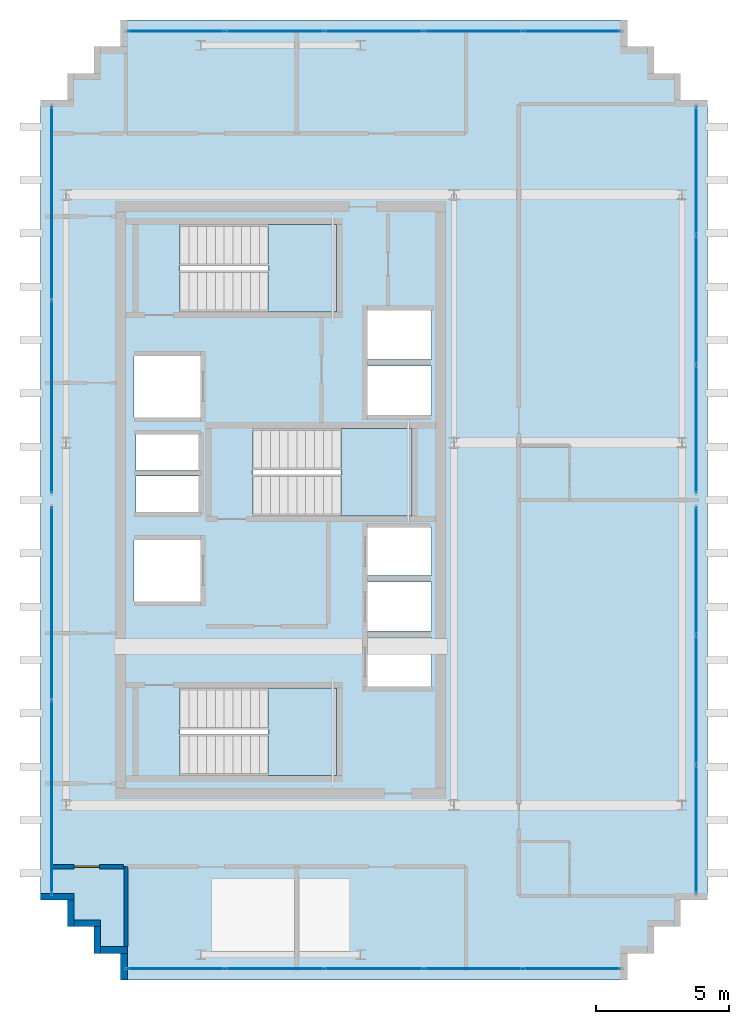
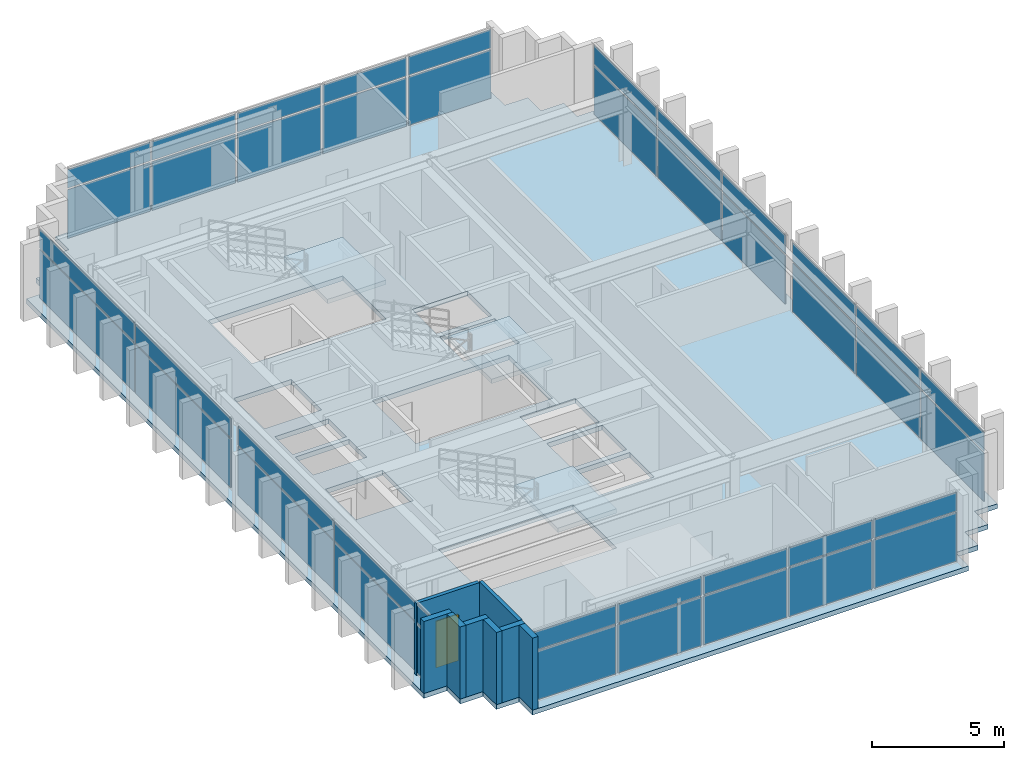
# One storey, part 11 of 15: 40 plates, 8 walls, 4 slabs, 1 door, 1 opening, 9 elements without a shape of their own.
"""IFC4 building model written with IfcOpenShell, lengths in metres."""

from ifc_helpers import new_model, si_unit, direction, frame, frame_2d, origin, origin_2d, place, context, subcontext, project, spatial, polyline, rectangle, outline, extrude, source, transform, mapped, material, layer, layer_set, type_object, element, fill, aggregate, save


model = new_model("IFC4")

# Units and contexts
model_context = context("Model", 3, precision=1e-05, world=origin(), true_north=direction((0.0, 1.0)))
body_context = subcontext(model_context, "Body", "Model", "MODEL_VIEW")
ifc_project = project(units=[si_unit("LENGTHUNIT", "METRE"), si_unit("AREAUNIT", "SQUARE_METRE"), si_unit("VOLUMEUNIT", "CUBIC_METRE"), si_unit("PLANEANGLEUNIT", "RADIAN"), si_unit("MASSUNIT", "GRAM", prefix="KILO")], contexts=[model_context])

# Site, building, storey
site_placement = place(None, origin())
site = spatial("IfcSite", under=ifc_project, at=site_placement, CompositionType="ELEMENT")
building_placement = place(site_placement, origin())
building = spatial("IfcBuilding", under=site, at=building_placement, Name="Ocotamira Hotel", CompositionType="ELEMENT")
storey_placement = place(building_placement, frame((0.0, 0.0, 297.60009765625)))
storey = spatial("IfcBuildingStorey", under=building, at=storey_placement, Name="L76", CompositionType="ELEMENT", Elevation=297.60009765625)

# Stair, slab
ifc_material_1 = material(Name="Concrete C40/50", Category="concrete")
stair_type = type_object("IfcStairType", Name="ST-CORE-1560", PredefinedType="HALF_TURN_STAIR", material=ifc_material_1)
stair_1_placement = place(storey_placement, origin())
stair_1 = element("IfcStair", 1, at=stair_1_placement, inside=storey, type_object=stair_type, Name="L76 Exit Stair ST-1", PredefinedType="HALF_TURN_STAIR")
ifc_layer_1 = layer(ifc_material_1, 0.199951171875)
ifc_layer_set_1 = layer_set([ifc_layer_1], Name="Concrete C40/50")
slab_type_1 = type_object("IfcSlabType", Name="SLB-LAND-200", PredefinedType="LANDING", material=ifc_layer_set_1)
slab_1_placement = place(storey_placement, frame((0.0, 0.0, 1.599853515625)))
slab_1 = element("IfcSlab", 2, at=slab_1_placement, type_object=slab_type_1, Name="ST-1 landing 1", PredefinedType="LANDING", context=body_context, shape_type="SweptSolid", body=[
    extrude(outline(polyline([(16.530029296875, 15.669921875), (19.090087890625, 15.669921875), (19.090087890625, 18.949951171875), (16.530029296875, 18.949951171875), (16.530029296875, 15.669921875)])), origin(), (0.0, 0.0, 1.0), 0.199951171875),
])
aggregate(stair_1, [slab_1])

stair_2_placement = place(storey_placement, origin())
stair_2 = element("IfcStair", 3, at=stair_2_placement, inside=storey, type_object=stair_type, Name="L76 Exit Stair ST-2", PredefinedType="HALF_TURN_STAIR")
slab_2_placement = place(storey_placement, frame((0.0, 0.0, 1.599853515625)))
slab_2 = element("IfcSlab", 4, at=slab_2_placement, type_object=slab_type_1, Name="ST-2 landing 1", PredefinedType="LANDING", context=body_context, shape_type="SweptSolid", body=[
    extrude(outline(polyline([(16.530029296875, 33.050048828125), (19.090087890625, 33.050048828125), (19.090087890625, 36.330078125), (16.530029296875, 36.330078125), (16.530029296875, 33.050048828125)])), origin(), (0.0, 0.0, 1.0), 0.199951171875),
])
aggregate(stair_2, [slab_2])

stair_3_placement = place(storey_placement, origin())
stair_3 = element("IfcStair", 5, at=stair_3_placement, inside=storey, type_object=stair_type, Name="L76 Exit Stair ST-3", PredefinedType="HALF_TURN_STAIR")
slab_3_placement = place(storey_placement, frame((0.0, 0.0, 1.599853515625)))
slab_3 = element("IfcSlab", 6, at=slab_3_placement, type_object=slab_type_1, Name="ST-3 landing 1", PredefinedType="LANDING", context=body_context, shape_type="SweptSolid", body=[
    extrude(outline(polyline([(19.260009765625, 25.39990234375), (21.919921875, 25.39990234375), (21.919921875, 28.679931640625), (19.260009765625, 28.679931640625), (19.260009765625, 25.39990234375)])), origin(), (0.0, 0.0, 1.0), 0.199951171875),
])
aggregate(stair_3, [slab_3])

# Slab
ifc_layer_2 = layer(ifc_material_1, 0.219970703125)
ifc_layer_set_2 = layer_set([ifc_layer_2], Name="Concrete C40/50")
slab_type_2 = type_object("IfcSlabType", Name="SLB-UPP-220", PredefinedType="FLOOR", material=ifc_layer_set_2)
slab_4_placement = place(storey_placement, frame((0.0, 0.0, -0.22021484375)))
element("IfcSlab", 7, at=slab_4_placement, inside=storey, type_object=slab_type_2, Name="L76 Structural Floor Slab", PredefinedType="FLOOR", context=body_context, shape_type="SweptSolid", body=[
    extrude(outline(polyline([(11.0, 8.0), (30.0, 8.0), (30.0, 9.0), (31.0, 9.0), (31.0, 10.0), (32.0, 10.0), (32.0, 11.0), (33.0, 11.0), (33.0, 41.0), (32.0, 41.0), (32.0, 42.0), (31.0, 42.0), (31.0, 43.0), (30.0, 43.0), (30.0, 44.0), (11.0, 44.0), (11.0, 43.0), (10.0, 43.0), (10.0, 42.0), (9.0, 42.0), (9.0, 41.0), (8.0, 41.0), (8.0, 11.0), (9.0, 11.0), (9.0, 10.0), (10.0, 10.0), (10.0, 9.0), (11.0, 9.0), (11.0, 8.0)]), holes=[polyline([(13.22998046875, 15.669921875), (19.090087890625, 15.669921875), (19.090087890625, 18.949951171875), (13.22998046875, 18.949951171875), (13.22998046875, 15.669921875)]), polyline([(13.22998046875, 33.050048828125), (19.090087890625, 33.050048828125), (19.090087890625, 36.330078125), (13.22998046875, 36.330078125), (13.22998046875, 33.050048828125)]), polyline([(15.9599609375, 25.39990234375), (21.919921875, 25.39990234375), (21.919921875, 28.679931640625), (15.9599609375, 28.679931640625), (15.9599609375, 25.39990234375)]), polyline([(20.25, 19.0), (22.659912109375, 19.0), (22.659912109375, 20.85009765625), (20.25, 20.85009765625), (20.25, 19.0)]), polyline([(20.25, 21.080078125), (22.659912109375, 21.080078125), (22.659912109375, 22.929931640625), (20.25, 22.929931640625), (20.25, 21.080078125)]), polyline([(20.25, 23.159912109375), (22.659912109375, 23.159912109375), (22.659912109375, 24.9599609375), (20.25, 24.9599609375), (20.25, 23.159912109375)]), polyline([(20.25, 29.179931640625), (22.659912109375, 29.179931640625), (22.659912109375, 31.030029296875), (20.25, 31.030029296875), (20.25, 29.179931640625)]), polyline([(20.25, 31.260009765625), (22.659912109375, 31.260009765625), (22.659912109375, 33.110107421875), (20.25, 33.110107421875), (20.25, 31.260009765625)]), polyline([(11.5, 22.199951171875), (14.0, 22.199951171875), (14.0, 24.5), (11.5, 24.5), (11.5, 22.199951171875)]), polyline([(11.5, 29.10009765625), (14.0, 29.10009765625), (14.0, 31.39990234375), (11.5, 31.39990234375), (11.5, 29.10009765625)]), polyline([(11.580078125, 25.550048828125), (13.919921875, 25.550048828125), (13.919921875, 26.89990234375), (11.580078125, 26.89990234375), (11.580078125, 25.550048828125)]), polyline([(11.580078125, 27.10009765625), (13.919921875, 27.10009765625), (13.919921875, 28.449951171875), (11.580078125, 28.449951171875), (11.580078125, 27.10009765625)])]), origin(), (0.0, 0.0, 1.0), 0.22021484375),
])

# Curtain wall, plates
ifc_material_2 = material(Name="Anodised pale-metal aluminium and solar glass", Category="aluminium")
ifc_layer_3 = layer(ifc_material_2, 0.2099609375)
ifc_layer_set_3 = layer_set([ifc_layer_3], Name="Anodised pale-metal aluminium and solar glass")
curtain_wall_type = type_object("IfcCurtainWallType", Name="CW-SYS7-PEAK", PredefinedType="NOTDEFINED", material=ifc_layer_set_3)
curtain_wall_1_placement = place(storey_placement, origin())
curtain_wall_1 = element("IfcCurtainWall", 8, at=curtain_wall_1_placement, inside=storey, type_object=curtain_wall_type, Name="L76 Curtain Wall CW-7 CW-L76-W1", PredefinedType="NOTDEFINED")
ifc_material_3 = material(Name="Double-silver low-E insulated solar glass", Category="glass")
ifc_layer_4 = layer(ifc_material_3, 0.031982421875)
ifc_layer_set_4 = layer_set([ifc_layer_4], Name="Double-silver low-E insulated solar glass")
plate_type = type_object("IfcPlateType", Name="CWP-VISION-32", PredefinedType="CURTAIN_PANEL", material=ifc_layer_set_4)
shared_shape_1 = source(origin(), body_context, "Body", "SweptSolid", [
    extrude(rectangle(XDim=7.179931640625, YDim=0.031982421875, at=origin_2d()), origin(), (0.0, 0.0, 1.0), 2.237548828125),
])
plate_1_placement = place(storey_placement, frame((8.419921875, 14.8701171875, 0.07470703125), z_axis=(0.0, 0.0, 1.0), x_axis=(0.0, 1.0, 0.0)))
plate_1 = element("IfcPlate", 9, at=plate_1_placement, type_object=plate_type, Name="CW-7 panel 1.1", PredefinedType="CURTAIN_PANEL", context=body_context, shape_type="MappedRepresentation", body=[
    mapped(shared_shape_1, transform((0.0, 0.0, 0.0), scale=1.0)),
])
plate_2_placement = place(storey_placement, frame((8.419921875, 22.1298828125, 0.07470703125), z_axis=(0.0, 0.0, 1.0), x_axis=(0.0, 1.0, 0.0)))
plate_2 = element("IfcPlate", 10, at=plate_2_placement, type_object=plate_type, Name="CW-7 panel 2.1", PredefinedType="CURTAIN_PANEL", context=body_context, shape_type="MappedRepresentation", body=[
    mapped(shared_shape_1, transform((0.0, 0.0, 0.0), scale=1.0)),
])

curtain_wall_2_placement = place(storey_placement, origin())
curtain_wall_2 = element("IfcCurtainWall", 11, at=curtain_wall_2_placement, inside=storey, type_object=curtain_wall_type, Name="L76 Curtain Wall CW-7 CW-L76-W2", PredefinedType="NOTDEFINED")
plate_3_placement = place(storey_placement, frame((8.419921875, 29.8701171875, 0.07470703125), z_axis=(0.0, 0.0, 1.0), x_axis=(0.0, 1.0, 0.0)))
plate_3 = element("IfcPlate", 12, at=plate_3_placement, type_object=plate_type, Name="CW-7 panel 1.1", PredefinedType="CURTAIN_PANEL", context=body_context, shape_type="MappedRepresentation", body=[
    mapped(shared_shape_1, transform((0.0, 0.0, 0.0), scale=1.0)),
])
plate_4_placement = place(storey_placement, frame((8.419921875, 37.1298828125, 0.07470703125), z_axis=(0.0, 0.0, 1.0), x_axis=(0.0, 1.0, 0.0)))
plate_4 = element("IfcPlate", 13, at=plate_4_placement, type_object=plate_type, Name="CW-7 panel 2.1", PredefinedType="CURTAIN_PANEL", context=body_context, shape_type="MappedRepresentation", body=[
    mapped(shared_shape_1, transform((0.0, 0.0, 0.0), scale=1.0)),
])

curtain_wall_3_placement = place(storey_placement, origin())
curtain_wall_3 = element("IfcCurtainWall", 14, at=curtain_wall_3_placement, inside=storey, type_object=curtain_wall_type, Name="L76 Curtain Wall CW-7 CW-L76-S1", PredefinedType="NOTDEFINED")
shared_shape_2 = source(origin(), body_context, "Body", "SweptSolid", [
    extrude(rectangle(XDim=3.60009765625, YDim=0.031982421875, at=origin_2d()), origin(), (0.0, 0.0, 1.0), 2.237548828125),
])
plate_5_placement = place(storey_placement, frame((13.080078125, 8.419921875, 0.07470703125), z_axis=(0.0, 0.0, 1.0), x_axis=(1.0, 0.0, 0.0)))
plate_5 = element("IfcPlate", 15, at=plate_5_placement, type_object=plate_type, Name="CW-7 panel 1.1", PredefinedType="CURTAIN_PANEL", context=body_context, shape_type="MappedRepresentation", body=[
    mapped(shared_shape_2, transform((0.0, 0.0, 0.0), scale=1.0)),
])
plate_6_placement = place(storey_placement, frame((27.919921875, 8.419921875, 0.07470703125), z_axis=(0.0, 0.0, 1.0), x_axis=(1.0, 0.0, 0.0)))
plate_6 = element("IfcPlate", 16, at=plate_6_placement, type_object=plate_type, Name="CW-7 panel 5.1", PredefinedType="CURTAIN_PANEL", context=body_context, shape_type="MappedRepresentation", body=[
    mapped(shared_shape_2, transform((0.0, 0.0, 0.0), scale=1.0)),
])

curtain_wall_4_placement = place(storey_placement, origin())
curtain_wall_4 = element("IfcCurtainWall", 17, at=curtain_wall_4_placement, inside=storey, type_object=curtain_wall_type, Name="L76 Curtain Wall CW-7 CW-L76-N", PredefinedType="NOTDEFINED")
plate_7_placement = place(storey_placement, frame((13.080078125, 43.580078125, 0.07470703125), z_axis=(0.0, 0.0, 1.0), x_axis=(1.0, 0.0, 0.0)))
plate_7 = element("IfcPlate", 18, at=plate_7_placement, type_object=plate_type, Name="CW-7 panel 1.1", PredefinedType="CURTAIN_PANEL", context=body_context, shape_type="MappedRepresentation", body=[
    mapped(shared_shape_2, transform((0.0, 0.0, 0.0), scale=1.0)),
])
plate_8_placement = place(storey_placement, frame((27.919921875, 43.580078125, 0.07470703125), z_axis=(0.0, 0.0, 1.0), x_axis=(1.0, 0.0, 0.0)))
plate_8 = element("IfcPlate", 19, at=plate_8_placement, type_object=plate_type, Name="CW-7 panel 5.1", PredefinedType="CURTAIN_PANEL", context=body_context, shape_type="MappedRepresentation", body=[
    mapped(shared_shape_2, transform((0.0, 0.0, 0.0), scale=1.0)),
])

# Plate
shared_shape_3 = source(origin(), body_context, "Body", "SweptSolid", [
    extrude(rectangle(XDim=3.639892578125, YDim=0.031982421875, at=origin_2d()), origin(), (0.0, 0.0, 1.0), 2.237548828125),
])
plate_9_placement = place(storey_placement, frame((16.780029296875, 8.419921875, 0.07470703125), z_axis=(0.0, 0.0, 1.0), x_axis=(1.0, 0.0, 0.0)))
plate_9 = element("IfcPlate", 20, at=plate_9_placement, type_object=plate_type, Name="CW-7 panel 2.1", PredefinedType="CURTAIN_PANEL", context=body_context, shape_type="MappedRepresentation", body=[
    mapped(shared_shape_3, transform((0.0, 0.0, 0.0), scale=1.0)),
])

plate_10_placement = place(storey_placement, frame((20.5, 8.419921875, 0.07470703125), z_axis=(0.0, 0.0, 1.0), x_axis=(1.0, 0.0, 0.0)))
plate_10 = element("IfcPlate", 21, at=plate_10_placement, type_object=plate_type, Name="CW-7 panel 3.1", PredefinedType="CURTAIN_PANEL", context=body_context, shape_type="MappedRepresentation", body=[
    mapped(shared_shape_3, transform((0.0, 0.0, 0.0), scale=1.0)),
])

plate_11_placement = place(storey_placement, frame((24.219970703125, 8.419921875, 0.07470703125), z_axis=(0.0, 0.0, 1.0), x_axis=(1.0, 0.0, 0.0)))
plate_11 = element("IfcPlate", 22, at=plate_11_placement, type_object=plate_type, Name="CW-7 panel 4.1", PredefinedType="CURTAIN_PANEL", context=body_context, shape_type="MappedRepresentation", body=[
    mapped(shared_shape_3, transform((0.0, 0.0, 0.0), scale=1.0)),
])

plate_12_placement = place(storey_placement, frame((16.780029296875, 43.580078125, 0.07470703125), z_axis=(0.0, 0.0, 1.0), x_axis=(1.0, 0.0, 0.0)))
plate_12 = element("IfcPlate", 23, at=plate_12_placement, type_object=plate_type, Name="CW-7 panel 2.1", PredefinedType="CURTAIN_PANEL", context=body_context, shape_type="MappedRepresentation", body=[
    mapped(shared_shape_3, transform((0.0, 0.0, 0.0), scale=1.0)),
])

plate_13_placement = place(storey_placement, frame((20.5, 43.580078125, 0.07470703125), z_axis=(0.0, 0.0, 1.0), x_axis=(1.0, 0.0, 0.0)))
plate_13 = element("IfcPlate", 24, at=plate_13_placement, type_object=plate_type, Name="CW-7 panel 3.1", PredefinedType="CURTAIN_PANEL", context=body_context, shape_type="MappedRepresentation", body=[
    mapped(shared_shape_3, transform((0.0, 0.0, 0.0), scale=1.0)),
])

plate_14_placement = place(storey_placement, frame((24.219970703125, 43.580078125, 0.07470703125), z_axis=(0.0, 0.0, 1.0), x_axis=(1.0, 0.0, 0.0)))
plate_14 = element("IfcPlate", 25, at=plate_14_placement, type_object=plate_type, Name="CW-7 panel 4.1", PredefinedType="CURTAIN_PANEL", context=body_context, shape_type="MappedRepresentation", body=[
    mapped(shared_shape_3, transform((0.0, 0.0, 0.0), scale=1.0)),
])

# Curtain wall, plates
curtain_wall_5_placement = place(storey_placement, origin())
curtain_wall_5 = element("IfcCurtainWall", 26, at=curtain_wall_5_placement, inside=storey, type_object=curtain_wall_type, Name="L76 Curtain Wall CW-7 CW-L76-E1", PredefinedType="NOTDEFINED")
shared_shape_4 = source(origin(), body_context, "Body", "SweptSolid", [
    extrude(rectangle(XDim=4.74658203125, YDim=0.031982421875, at=origin_2d()), origin(), (0.0, 0.0, 1.0), 2.237548828125),
])
plate_15_placement = place(storey_placement, frame((32.580078125, 13.6533203125, 0.07470703125), z_axis=(0.0, 0.0, 1.0), x_axis=(0.0, 1.0, 0.0)))
plate_15 = element("IfcPlate", 27, at=plate_15_placement, type_object=plate_type, Name="CW-7 panel 1.1", PredefinedType="CURTAIN_PANEL", context=body_context, shape_type="MappedRepresentation", body=[
    mapped(shared_shape_4, transform((0.0, 0.0, 0.0), scale=1.0)),
])
plate_16_placement = place(storey_placement, frame((32.580078125, 23.3466796875, 0.07470703125), z_axis=(0.0, 0.0, 1.0), x_axis=(0.0, 1.0, 0.0)))
plate_16 = element("IfcPlate", 28, at=plate_16_placement, type_object=plate_type, Name="CW-7 panel 3.1", PredefinedType="CURTAIN_PANEL", context=body_context, shape_type="MappedRepresentation", body=[
    mapped(shared_shape_4, transform((0.0, 0.0, 0.0), scale=1.0)),
])

curtain_wall_6_placement = place(storey_placement, origin())
curtain_wall_6 = element("IfcCurtainWall", 29, at=curtain_wall_6_placement, inside=storey, type_object=curtain_wall_type, Name="L76 Curtain Wall CW-7 CW-L76-E2", PredefinedType="NOTDEFINED")
plate_17_placement = place(storey_placement, frame((32.580078125, 28.6533203125, 0.07470703125), z_axis=(0.0, 0.0, 1.0), x_axis=(0.0, 1.0, 0.0)))
plate_17 = element("IfcPlate", 30, at=plate_17_placement, type_object=plate_type, Name="CW-7 panel 1.1", PredefinedType="CURTAIN_PANEL", context=body_context, shape_type="MappedRepresentation", body=[
    mapped(shared_shape_4, transform((0.0, 0.0, 0.0), scale=1.0)),
])
plate_18_placement = place(storey_placement, frame((32.580078125, 38.3466796875, 0.07470703125), z_axis=(0.0, 0.0, 1.0), x_axis=(0.0, 1.0, 0.0)))
plate_18 = element("IfcPlate", 31, at=plate_18_placement, type_object=plate_type, Name="CW-7 panel 3.1", PredefinedType="CURTAIN_PANEL", context=body_context, shape_type="MappedRepresentation", body=[
    mapped(shared_shape_4, transform((0.0, 0.0, 0.0), scale=1.0)),
])

# Plate
shared_shape_5 = source(origin(), body_context, "Body", "SweptSolid", [
    extrude(rectangle(XDim=4.78662109375, YDim=0.031982421875, at=origin_2d()), origin(), (0.0, 0.0, 1.0), 2.237548828125),
])
plate_19_placement = place(storey_placement, frame((32.580078125, 18.5, 0.07470703125), z_axis=(0.0, 0.0, 1.0), x_axis=(0.0, 1.0, 0.0)))
plate_19 = element("IfcPlate", 32, at=plate_19_placement, type_object=plate_type, Name="CW-7 panel 2.1", PredefinedType="CURTAIN_PANEL", context=body_context, shape_type="MappedRepresentation", body=[
    mapped(shared_shape_5, transform((0.0, 0.0, 0.0), scale=1.0)),
])

plate_20_placement = place(storey_placement, frame((32.580078125, 33.5, 0.07470703125), z_axis=(0.0, 0.0, 1.0), x_axis=(0.0, 1.0, 0.0)))
plate_20 = element("IfcPlate", 33, at=plate_20_placement, type_object=plate_type, Name="CW-7 panel 2.1", PredefinedType="CURTAIN_PANEL", context=body_context, shape_type="MappedRepresentation", body=[
    mapped(shared_shape_5, transform((0.0, 0.0, 0.0), scale=1.0)),
])

shared_shape_6 = source(origin(), body_context, "Body", "SweptSolid", [
    extrude(rectangle(XDim=3.60009765625, YDim=0.031982421875, at=origin_2d()), origin(), (0.0, 0.0, 1.0), 0.857421875),
])
plate_21_placement = place(storey_placement, frame((13.080078125, 8.419921875, 2.387451171875), z_axis=(0.0, 0.0, 1.0), x_axis=(1.0, 0.0, 0.0)))
plate_21 = element("IfcPlate", 34, at=plate_21_placement, type_object=plate_type, Name="CW-7 panel 1.2", PredefinedType="CURTAIN_PANEL", context=body_context, shape_type="MappedRepresentation", body=[
    mapped(shared_shape_6, transform((0.0, 0.0, 0.0), scale=1.0)),
])

plate_22_placement = place(storey_placement, frame((27.919921875, 8.419921875, 2.387451171875), z_axis=(0.0, 0.0, 1.0), x_axis=(1.0, 0.0, 0.0)))
plate_22 = element("IfcPlate", 35, at=plate_22_placement, type_object=plate_type, Name="CW-7 panel 5.2", PredefinedType="CURTAIN_PANEL", context=body_context, shape_type="MappedRepresentation", body=[
    mapped(shared_shape_6, transform((0.0, 0.0, 0.0), scale=1.0)),
])

plate_23_placement = place(storey_placement, frame((13.080078125, 43.580078125, 2.387451171875), z_axis=(0.0, 0.0, 1.0), x_axis=(1.0, 0.0, 0.0)))
plate_23 = element("IfcPlate", 36, at=plate_23_placement, type_object=plate_type, Name="CW-7 panel 1.2", PredefinedType="CURTAIN_PANEL", context=body_context, shape_type="MappedRepresentation", body=[
    mapped(shared_shape_6, transform((0.0, 0.0, 0.0), scale=1.0)),
])

plate_24_placement = place(storey_placement, frame((27.919921875, 43.580078125, 2.387451171875), z_axis=(0.0, 0.0, 1.0), x_axis=(1.0, 0.0, 0.0)))
plate_24 = element("IfcPlate", 37, at=plate_24_placement, type_object=plate_type, Name="CW-7 panel 5.2", PredefinedType="CURTAIN_PANEL", context=body_context, shape_type="MappedRepresentation", body=[
    mapped(shared_shape_6, transform((0.0, 0.0, 0.0), scale=1.0)),
])

shared_shape_7 = source(origin(), body_context, "Body", "SweptSolid", [
    extrude(rectangle(XDim=3.639892578125, YDim=0.031982421875, at=origin_2d()), origin(), (0.0, 0.0, 1.0), 0.857421875),
])
plate_25_placement = place(storey_placement, frame((16.780029296875, 8.419921875, 2.387451171875), z_axis=(0.0, 0.0, 1.0), x_axis=(1.0, 0.0, 0.0)))
plate_25 = element("IfcPlate", 38, at=plate_25_placement, type_object=plate_type, Name="CW-7 panel 2.2", PredefinedType="CURTAIN_PANEL", context=body_context, shape_type="MappedRepresentation", body=[
    mapped(shared_shape_7, transform((0.0, 0.0, 0.0), scale=1.0)),
])

plate_26_placement = place(storey_placement, frame((20.5, 8.419921875, 2.387451171875), z_axis=(0.0, 0.0, 1.0), x_axis=(1.0, 0.0, 0.0)))
plate_26 = element("IfcPlate", 39, at=plate_26_placement, type_object=plate_type, Name="CW-7 panel 3.2", PredefinedType="CURTAIN_PANEL", context=body_context, shape_type="MappedRepresentation", body=[
    mapped(shared_shape_7, transform((0.0, 0.0, 0.0), scale=1.0)),
])

plate_27_placement = place(storey_placement, frame((24.219970703125, 8.419921875, 2.387451171875), z_axis=(0.0, 0.0, 1.0), x_axis=(1.0, 0.0, 0.0)))
plate_27 = element("IfcPlate", 40, at=plate_27_placement, type_object=plate_type, Name="CW-7 panel 4.2", PredefinedType="CURTAIN_PANEL", context=body_context, shape_type="MappedRepresentation", body=[
    mapped(shared_shape_7, transform((0.0, 0.0, 0.0), scale=1.0)),
])

aggregate(curtain_wall_3, [plate_5, plate_21, plate_9, plate_25, plate_10, plate_26, plate_11, plate_27, plate_6, plate_22])

plate_28_placement = place(storey_placement, frame((16.780029296875, 43.580078125, 2.387451171875), z_axis=(0.0, 0.0, 1.0), x_axis=(1.0, 0.0, 0.0)))
plate_28 = element("IfcPlate", 41, at=plate_28_placement, type_object=plate_type, Name="CW-7 panel 2.2", PredefinedType="CURTAIN_PANEL", context=body_context, shape_type="MappedRepresentation", body=[
    mapped(shared_shape_7, transform((0.0, 0.0, 0.0), scale=1.0)),
])

plate_29_placement = place(storey_placement, frame((20.5, 43.580078125, 2.387451171875), z_axis=(0.0, 0.0, 1.0), x_axis=(1.0, 0.0, 0.0)))
plate_29 = element("IfcPlate", 42, at=plate_29_placement, type_object=plate_type, Name="CW-7 panel 3.2", PredefinedType="CURTAIN_PANEL", context=body_context, shape_type="MappedRepresentation", body=[
    mapped(shared_shape_7, transform((0.0, 0.0, 0.0), scale=1.0)),
])

plate_30_placement = place(storey_placement, frame((24.219970703125, 43.580078125, 2.387451171875), z_axis=(0.0, 0.0, 1.0), x_axis=(1.0, 0.0, 0.0)))
plate_30 = element("IfcPlate", 43, at=plate_30_placement, type_object=plate_type, Name="CW-7 panel 4.2", PredefinedType="CURTAIN_PANEL", context=body_context, shape_type="MappedRepresentation", body=[
    mapped(shared_shape_7, transform((0.0, 0.0, 0.0), scale=1.0)),
])

aggregate(curtain_wall_4, [plate_7, plate_23, plate_12, plate_28, plate_13, plate_29, plate_14, plate_30, plate_8, plate_24])

shared_shape_8 = source(origin(), body_context, "Body", "SweptSolid", [
    extrude(rectangle(XDim=7.179931640625, YDim=0.031982421875, at=origin_2d()), origin(), (0.0, 0.0, 1.0), 0.857421875),
])
plate_31_placement = place(storey_placement, frame((8.419921875, 14.8701171875, 2.387451171875), z_axis=(0.0, 0.0, 1.0), x_axis=(0.0, 1.0, 0.0)))
plate_31 = element("IfcPlate", 44, at=plate_31_placement, type_object=plate_type, Name="CW-7 panel 1.2", PredefinedType="CURTAIN_PANEL", context=body_context, shape_type="MappedRepresentation", body=[
    mapped(shared_shape_8, transform((0.0, 0.0, 0.0), scale=1.0)),
])

plate_32_placement = place(storey_placement, frame((8.419921875, 22.1298828125, 2.387451171875), z_axis=(0.0, 0.0, 1.0), x_axis=(0.0, 1.0, 0.0)))
plate_32 = element("IfcPlate", 45, at=plate_32_placement, type_object=plate_type, Name="CW-7 panel 2.2", PredefinedType="CURTAIN_PANEL", context=body_context, shape_type="MappedRepresentation", body=[
    mapped(shared_shape_8, transform((0.0, 0.0, 0.0), scale=1.0)),
])

aggregate(curtain_wall_1, [plate_1, plate_31, plate_2, plate_32])

plate_33_placement = place(storey_placement, frame((8.419921875, 29.8701171875, 2.387451171875), z_axis=(0.0, 0.0, 1.0), x_axis=(0.0, 1.0, 0.0)))
plate_33 = element("IfcPlate", 46, at=plate_33_placement, type_object=plate_type, Name="CW-7 panel 1.2", PredefinedType="CURTAIN_PANEL", context=body_context, shape_type="MappedRepresentation", body=[
    mapped(shared_shape_8, transform((0.0, 0.0, 0.0), scale=1.0)),
])

plate_34_placement = place(storey_placement, frame((8.419921875, 37.1298828125, 2.387451171875), z_axis=(0.0, 0.0, 1.0), x_axis=(0.0, 1.0, 0.0)))
plate_34 = element("IfcPlate", 47, at=plate_34_placement, type_object=plate_type, Name="CW-7 panel 2.2", PredefinedType="CURTAIN_PANEL", context=body_context, shape_type="MappedRepresentation", body=[
    mapped(shared_shape_8, transform((0.0, 0.0, 0.0), scale=1.0)),
])

aggregate(curtain_wall_2, [plate_3, plate_33, plate_4, plate_34])

shared_shape_9 = source(origin(), body_context, "Body", "SweptSolid", [
    extrude(rectangle(XDim=4.74658203125, YDim=0.031982421875, at=origin_2d()), origin(), (0.0, 0.0, 1.0), 0.857421875),
])
plate_35_placement = place(storey_placement, frame((32.580078125, 13.6533203125, 2.387451171875), z_axis=(0.0, 0.0, 1.0), x_axis=(0.0, 1.0, 0.0)))
plate_35 = element("IfcPlate", 48, at=plate_35_placement, type_object=plate_type, Name="CW-7 panel 1.2", PredefinedType="CURTAIN_PANEL", context=body_context, shape_type="MappedRepresentation", body=[
    mapped(shared_shape_9, transform((0.0, 0.0, 0.0), scale=1.0)),
])

plate_36_placement = place(storey_placement, frame((32.580078125, 23.3466796875, 2.387451171875), z_axis=(0.0, 0.0, 1.0), x_axis=(0.0, 1.0, 0.0)))
plate_36 = element("IfcPlate", 49, at=plate_36_placement, type_object=plate_type, Name="CW-7 panel 3.2", PredefinedType="CURTAIN_PANEL", context=body_context, shape_type="MappedRepresentation", body=[
    mapped(shared_shape_9, transform((0.0, 0.0, 0.0), scale=1.0)),
])

plate_37_placement = place(storey_placement, frame((32.580078125, 28.6533203125, 2.387451171875), z_axis=(0.0, 0.0, 1.0), x_axis=(0.0, 1.0, 0.0)))
plate_37 = element("IfcPlate", 50, at=plate_37_placement, type_object=plate_type, Name="CW-7 panel 1.2", PredefinedType="CURTAIN_PANEL", context=body_context, shape_type="MappedRepresentation", body=[
    mapped(shared_shape_9, transform((0.0, 0.0, 0.0), scale=1.0)),
])

plate_38_placement = place(storey_placement, frame((32.580078125, 38.3466796875, 2.387451171875), z_axis=(0.0, 0.0, 1.0), x_axis=(0.0, 1.0, 0.0)))
plate_38 = element("IfcPlate", 51, at=plate_38_placement, type_object=plate_type, Name="CW-7 panel 3.2", PredefinedType="CURTAIN_PANEL", context=body_context, shape_type="MappedRepresentation", body=[
    mapped(shared_shape_9, transform((0.0, 0.0, 0.0), scale=1.0)),
])

shared_shape_10 = source(origin(), body_context, "Body", "SweptSolid", [
    extrude(rectangle(XDim=4.78662109375, YDim=0.031982421875, at=origin_2d()), origin(), (0.0, 0.0, 1.0), 0.857421875),
])
plate_39_placement = place(storey_placement, frame((32.580078125, 18.5, 2.387451171875), z_axis=(0.0, 0.0, 1.0), x_axis=(0.0, 1.0, 0.0)))
plate_39 = element("IfcPlate", 52, at=plate_39_placement, type_object=plate_type, Name="CW-7 panel 2.2", PredefinedType="CURTAIN_PANEL", context=body_context, shape_type="MappedRepresentation", body=[
    mapped(shared_shape_10, transform((0.0, 0.0, 0.0), scale=1.0)),
])

aggregate(curtain_wall_5, [plate_15, plate_35, plate_19, plate_39, plate_16, plate_36])

plate_40_placement = place(storey_placement, frame((32.580078125, 33.5, 2.387451171875), z_axis=(0.0, 0.0, 1.0), x_axis=(0.0, 1.0, 0.0)))
plate_40 = element("IfcPlate", 53, at=plate_40_placement, type_object=plate_type, Name="CW-7 panel 2.2", PredefinedType="CURTAIN_PANEL", context=body_context, shape_type="MappedRepresentation", body=[
    mapped(shared_shape_10, transform((0.0, 0.0, 0.0), scale=1.0)),
])

aggregate(curtain_wall_6, [plate_17, plate_37, plate_20, plate_40, plate_18, plate_38])

# Walls
ifc_material_4 = material(Name="Precast concrete C45/55", Category="concrete")
ifc_layer_5 = layer(ifc_material_4, 0.25)
ifc_layer_set_5 = layer_set([ifc_layer_5], Name="Precast concrete C45/55")
wall_type_1 = type_object("IfcWallType", Name="WL-EXT-SER-250", PredefinedType="SOLIDWALL", material=ifc_layer_set_5)
wall_1_placement = place(storey_placement, frame((8.0, 11.125, 0.0), z_axis=(0.0, 0.0, 1.0), x_axis=(1.0, 0.0, 0.0)))
element("IfcWall", 54, at=wall_1_placement, inside=storey, type_object=wall_type_1, Name="L76 Serrated Corner Wall 19", PredefinedType="SOLIDWALL", context=body_context, shape_type="SweptSolid", body=[
    extrude(rectangle(XDim=1.25, YDim=0.25, at=frame_2d((0.625, 0.0))), origin(), (0.0, 0.0, 1.0), 3.31982421875),
])
for number, where, z_axis, x_axis, name in (
    (55, (9.125, 11.0, 0.0), (0.0, 0.0, 1.0), (0.0, -1.0, 0.0), "L76 Serrated Corner Wall 20"),
    (56, (9.25, 10.125, 0.0), (0.0, 0.0, 1.0), (1.0, 0.0, 0.0), "L76 Serrated Corner Wall 21"),
    (57, (10.125, 10.0, 0.0), (0.0, 0.0, 1.0), (0.0, -1.0, 0.0), "L76 Serrated Corner Wall 22"),
    (58, (10.25, 9.125, 0.0), (0.0, 0.0, 1.0), (1.0, 0.0, 0.0), "L76 Serrated Corner Wall 23"),
    (59, (11.125, 9.0, 0.0), (0.0, 0.0, 1.0), (0.0, -1.0, 0.0), "L76 Serrated Corner Wall 24"),
):
    element("IfcWall", number, at=place(storey_placement, frame(where, z_axis=z_axis, x_axis=x_axis)), inside=storey, type_object=wall_type_1, Name=name, PredefinedType="SOLIDWALL", context=body_context, shape_type="SweptSolid", body=[
        extrude(rectangle(XDim=1.0, YDim=0.25, at=frame_2d((0.5, 0.0))), origin(), (0.0, 0.0, 1.0), 3.31982421875),
    ])

# Wall, opening, door
ifc_material_5 = material(Name="Acoustic double-layer fire gypsum board partition", Category="gypsum")
ifc_layer_6 = layer(ifc_material_5, 0.159912109375)
ifc_layer_set_6 = layer_set([ifc_layer_6], Name="Acoustic double-layer fire gypsum board partition")
wall_type_2 = type_object("IfcWallType", Name="WL-FIRE-160", PredefinedType="PARTITIONING", material=ifc_layer_set_6)
wall_2_placement = place(storey_placement, frame((8.35009765625, 12.25, 0.0), z_axis=(0.0, 0.0, 1.0), x_axis=(1.0, 0.0, 0.0)))
wall_2 = element("IfcWall", 60, at=wall_2_placement, inside=storey, type_object=wall_type_2, Name="L76 Interior Wall PW-L76-WPCSW2-CW", PredefinedType="PARTITIONING", context=body_context, shape_type="SweptSolid", body=[
    extrude(rectangle(XDim=2.75, YDim=0.159912109375, at=frame_2d((1.375, 0.0))), origin(), (0.0, 0.0, 1.0), 3.31982421875),
])
opening_placement = place(wall_2_placement, frame((0.89501953125, 0.0, 0.0)))
opening = element("IfcOpeningElement", 61, at=opening_placement, cuts=wall_2, Name="Opening D-SV4", PredefinedType="OPENING", context=body_context, shape_type="SweptSolid", body=[
    extrude(rectangle(XDim=0.9599609375, YDim=2.14990234375, at=frame_2d((0.47998046875, 1.074951171875))), frame((0.0, 0.08984375, 0.0), z_axis=(0.0, -1.0, 0.0), x_axis=(1.0, 0.0, 0.0)), (0.0, 0.0, 1.0), 0.179931640625),
])
ifc_material_6 = material(Name="Fire-rated accessible walnut salon door", Category="wood")
door_type = type_object("IfcDoorType", Name="DR-SERV-960", OperationType="NOTDEFINED", PredefinedType="DOOR", material=ifc_material_6)
shared_shape_11 = source(origin(), body_context, "Body", "SweptSolid", [
    extrude(rectangle(XDim=0.9599609375, YDim=2.14990234375, at=frame_2d((0.47998046875, 1.074951171875))), frame((0.0, 0.02490234375, 0.0), z_axis=(0.0, -1.0, 0.0), x_axis=(1.0, 0.0, 0.0)), (0.0, 0.0, 1.0), 0.050048828125),
])
door_placement = place(opening_placement, origin())
door = element("IfcDoor", 62, at=door_placement, inside=storey, type_object=door_type, Name="L76 Door ID-L76-WPCSW2-CD [ID-L76-WPCSW2-CD]", OperationType="SINGLE_SWING_LEFT", OverallHeight=2.14990234375, OverallWidth=0.9599609375, PredefinedType="DOOR", context=body_context, shape_type="MappedRepresentation", body=[
    mapped(shared_shape_11, transform((0.0, 0.0, 0.0), scale=1.0)),
])
fill(opening, door)

# Wall
ifc_material_7 = material(Name="Acoustic double-stud hospitality gypsum partition", Category="gypsum")
ifc_layer_7 = layer(ifc_material_7, 0.159912109375)
ifc_layer_set_7 = layer_set([ifc_layer_7], Name="Acoustic double-stud hospitality gypsum partition")
wall_type_3 = type_object("IfcWallType", Name="WL-PART-160", PredefinedType="PARTITIONING", material=ifc_layer_set_7)
wall_3_placement = place(storey_placement, frame((11.199951171875, 9.260009765625, 0.0), z_axis=(0.0, 0.0, 1.0), x_axis=(0.0, 1.0, 0.0)))
element("IfcWall", 63, at=wall_3_placement, inside=storey, type_object=wall_type_3, Name="L76 Interior Wall PW-L76-WP2S-PW0", PredefinedType="PARTITIONING", context=body_context, shape_type="SweptSolid", body=[
    extrude(rectangle(XDim=2.989990234375, YDim=0.159912109375, at=frame_2d((1.4951171875, 0.0))), origin(), (0.0, 0.0, 1.0), 3.31982421875),
])

save(model, "model.ifc")
